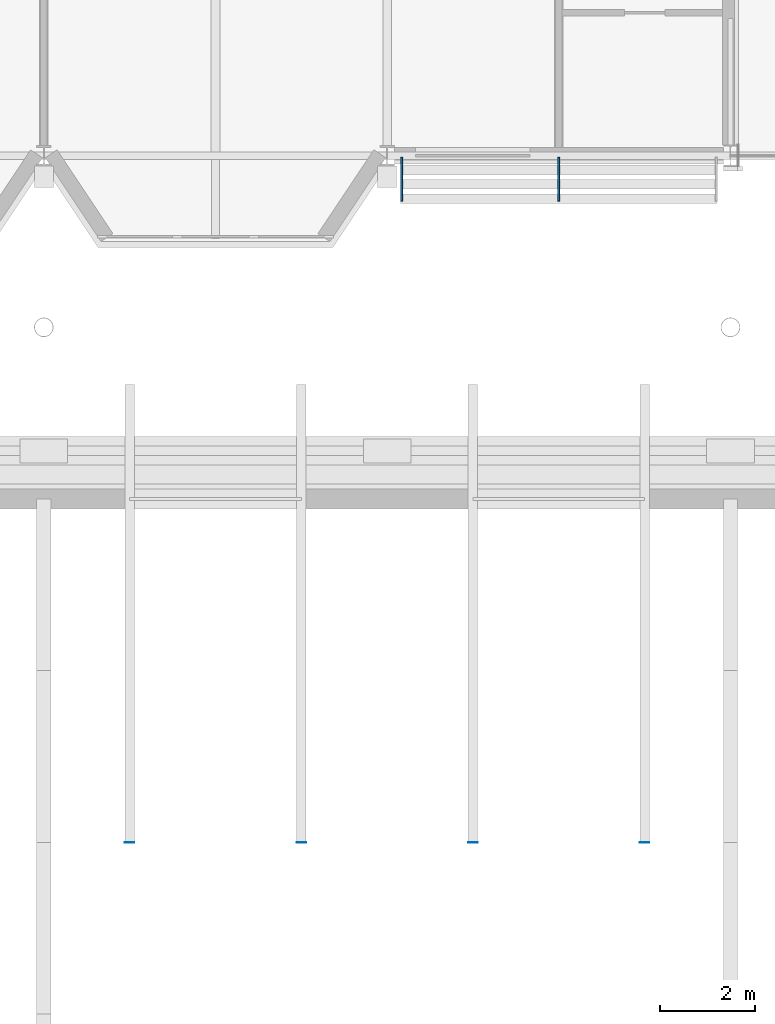
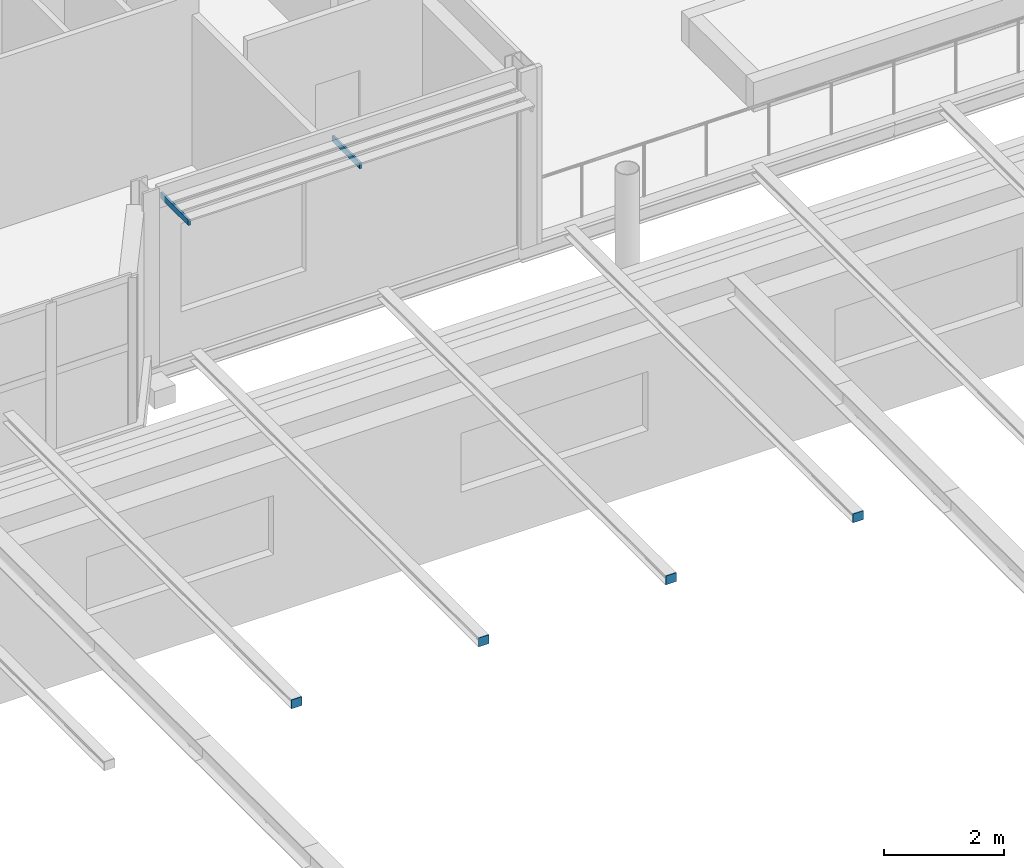
# One storey, part 58 of 110: 6 discrete accessories.
"""IFC4 building model written with IfcOpenShell, lengths in metres."""

from ifc_helpers import new_model, si_unit, direction, frame, origin, origin_2d, place, context, subcontext, project, spatial, rectangle, extrude, material, layer, layer_set, type_object, element, save


model = new_model("IFC4")

# Units and contexts
model_context = context("Model", 3, precision=1e-05, world=origin(), true_north=direction((0.0, 1.0)))
body_context = subcontext(model_context, "Body", "Model", "MODEL_VIEW")
ifc_project = project(units=[si_unit("LENGTHUNIT", "METRE"), si_unit("AREAUNIT", "SQUARE_METRE"), si_unit("VOLUMEUNIT", "CUBIC_METRE"), si_unit("PLANEANGLEUNIT", "RADIAN"), si_unit("MASSUNIT", "GRAM", prefix="KILO")], contexts=[model_context])

# Site, building, storey
site_placement = place(None, origin())
site = spatial("IfcSite", under=ifc_project, at=site_placement, CompositionType="ELEMENT")
building_placement = place(site_placement, origin())
building = spatial("IfcBuilding", under=site, at=building_placement, Name="Kupolbacken Congress Centre", CompositionType="ELEMENT")
storey_placement = place(building_placement, frame((0.0, 0.0, 18.0)))
storey = spatial("IfcBuildingStorey", under=building, at=storey_placement, Name="L05", CompositionType="ELEMENT", Elevation=18.0)

# Discrete accessories
ifc_material_1 = material(Name="Steel S355", Category="steel")
ifc_layer_1 = layer(ifc_material_1, 0.011962890625)
ifc_layer_set_1 = layer_set([ifc_layer_1], Name="Steel S355")
discrete_accessory_type_1 = type_object("IfcDiscreteAccessoryType", Name="BK1 bracket 150 x 150 x 12", PredefinedType="BRACKET", material=ifc_layer_set_1)
for number, where, z_axis, x_axis, name in (
    (1, (129.903564453125, 121.909912109375, 3.239990234375), (0.0, 0.0, 1.0), (1.0, 0.0, 0.0), "Brise-soleil arm"),
    (2, (133.20166015625, 121.909912109375, 3.239990234375), (0.0, 0.0, 1.0), (1.0, 0.0, 0.0), "Brise-soleil arm"),
):
    element("IfcDiscreteAccessory", number, at=place(storey_placement, frame(where, z_axis=z_axis, x_axis=x_axis)), inside=storey, type_object=discrete_accessory_type_1, Name=name, PredefinedType="BRACKET", context=body_context, shape_type="SweptSolid", body=[
        extrude(rectangle(XDim=0.0400390625, YDim=0.919921875, at=origin_2d()), origin(), (0.0, 0.0, 1.0), 0.1201171875),
    ])
ifc_material_2 = material(Name="Steel S355", Category="steel")
ifc_layer_2 = layer(ifc_material_2, 0.011962890625)
ifc_layer_set_2 = layer_set([ifc_layer_2], Name="Steel S355")
discrete_accessory_type_2 = type_object("IfcDiscreteAccessoryType", Name="BK3 bracket end plate 200 x 180 x 12", PredefinedType="BRACKET", material=ifc_layer_set_2)
for number, where, z_axis, x_axis, name in (
    (3, (124.199951171875, 107.993896484375, 3.60009765625), (0.0, 0.0, 1.0), (1.0, 0.0, 0.0), "Eave bracket end plate N11"),
    (4, (127.800048828125, 107.993896484375, 3.60009765625), (0.0, 0.0, 1.0), (1.0, 0.0, 0.0), "Eave bracket end plate N12"),
    (5, (131.39990234375, 107.993896484375, 3.60009765625), (0.0, 0.0, 1.0), (1.0, 0.0, 0.0), "Eave bracket end plate N13"),
    (6, (135.0, 107.993896484375, 3.60009765625), (0.0, 0.0, 1.0), (1.0, 0.0, 0.0), "Eave bracket end plate N14"),
):
    element("IfcDiscreteAccessory", number, at=place(storey_placement, frame(where, z_axis=z_axis, x_axis=x_axis)), inside=storey, type_object=discrete_accessory_type_2, Name=name, PredefinedType="BRACKET", context=body_context, shape_type="SweptSolid", body=[
        extrude(rectangle(XDim=0.199951171875, YDim=0.011962890625, at=origin_2d()), origin(), (0.0, 0.0, 1.0), 0.179931640625),
    ])

save(model, "model.ifc")
